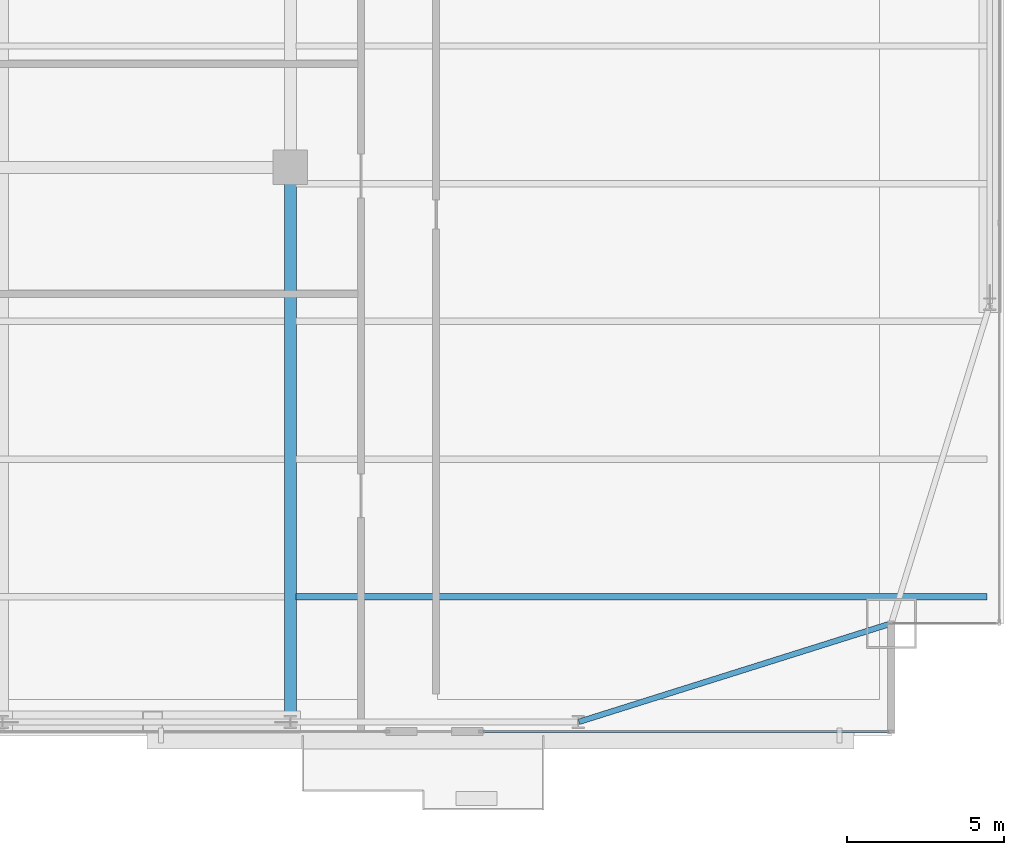
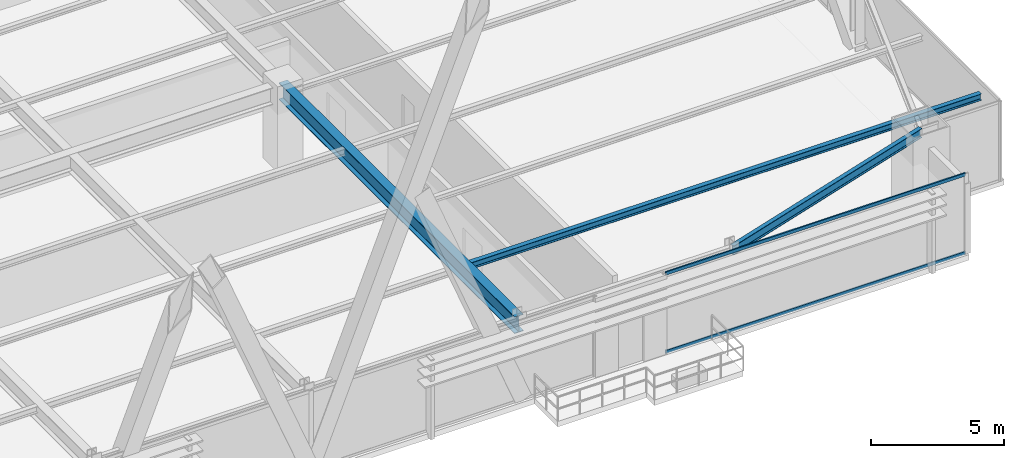
# One storey, part 14 of 32: 3 beams, 2 members, 1 element without a shape of its own.
"""IFC4 building model written with IfcOpenShell, lengths in metres."""

from ifc_helpers import new_model, si_unit, direction, frame, origin, origin_2d, place, context, subcontext, project, spatial, hollow_rectangle, i_section, extrude, source, transform, mapped, material, layer, layer_set, material_profile, profile_set, type_object, type_shapes, element, aggregate, save


model = new_model("IFC4")

# Units and contexts
model_context = context("Model", 3, precision=1e-05, world=origin(), true_north=direction((0.0, 1.0)))
body_context = subcontext(model_context, "Body", "Model", "MODEL_VIEW")
ifc_project = project(units=[si_unit("LENGTHUNIT", "METRE"), si_unit("AREAUNIT", "SQUARE_METRE"), si_unit("VOLUMEUNIT", "CUBIC_METRE"), si_unit("PLANEANGLEUNIT", "RADIAN"), si_unit("MASSUNIT", "GRAM", prefix="KILO")], contexts=[model_context])

# Site, building, storey
site_placement = place(None, origin())
site = spatial("IfcSite", under=ifc_project, at=site_placement, CompositionType="ELEMENT")
building_placement = place(site_placement, origin())
building = spatial("IfcBuilding", under=site, at=building_placement, Name="Varnel Quay Broadcast Tower", CompositionType="ELEMENT")
storey_placement = place(building_placement, frame((0.0, 0.0, 58.800048828125)))
storey = spatial("IfcBuildingStorey", under=building, at=storey_placement, Name="L13", CompositionType="ELEMENT", Elevation=58.800048828125)

# Beams
ifc_material_1 = material(Name="Structural Steel CSA G40.21 350W", Category="steel")
ifc_material_profile_1 = material_profile(ifc_material_1, i_section(OverallWidth=0.180908203125, OverallDepth=0.4169921875, WebThickness=0.010986328125, FlangeThickness=0.018310546875, FilletRadius=0.011962890625, at=origin_2d()), Name="W410X85")
ifc_profile_set_1 = profile_set([ifc_material_profile_1], Name="Structural Steel CSA G40.21 350W")
beam_type_1 = type_object("IfcBeamType", Name="Beam_W410X85", PredefinedType="SPANDREL", material=ifc_profile_set_1)
shared_shape_1 = source(origin(), body_context, "Body", "SweptSolid", [
    extrude(i_section(OverallWidth=0.180908203125, OverallDepth=0.4169921875, WebThickness=0.010986328125, FlangeThickness=0.018310546875, FilletRadius=0.011962890625, at=origin_2d()), origin(), (0.0, 0.0, 1.0), 10.444091796875),
])
type_shapes(beam_type_1, [shared_shape_1])
beam_1_placement = place(storey_placement, frame((52.419189453125, 1.656005859375, 3.44140625), z_axis=(0.953798277271, 0.300447743003, 0.0), x_axis=(-0.300447743003, 0.953798277271, 0.0)))
element("IfcBeam", 1, at=beam_1_placement, inside=storey, type_object=beam_type_1, Name="L13 South Spandrel TC-S5-MC-SE", PredefinedType="SPANDREL", context=body_context, shape_type="MappedRepresentation", body=[
    mapped(shared_shape_1, transform((0.0, 0.0, 0.0), x_axis=(1.0, 0.0, 0.0), y_axis=(0.0, 1.0, 0.0), z_axis=(0.0, 0.0, 1.0), scale=1.0)),
])
ifc_material_profile_2 = material_profile(ifc_material_1, i_section(OverallWidth=0.381103515625, OverallDepth=0.77294921875, WebThickness=0.0166015625, FlangeThickness=0.027587890625, FilletRadius=0.01806640625, at=origin_2d()), Name="W760X257")
ifc_profile_set_2 = profile_set([ifc_material_profile_2], Name="Structural Steel CSA G40.21 350W")
beam_type_2 = type_object("IfcBeamType", Name="Girder_W760X257", PredefinedType="BEAM", material=ifc_profile_set_2)
shared_shape_2 = source(origin(), body_context, "Body", "SweptSolid", [
    extrude(i_section(OverallWidth=0.381103515625, OverallDepth=0.77294921875, WebThickness=0.0166015625, FlangeThickness=0.027587890625, FilletRadius=0.01806640625, at=origin_2d()), origin(), (0.0, 0.0, 1.0), 17.68017578125),
])
type_shapes(beam_type_2, [shared_shape_2])
beam_2_placement = place(storey_placement, frame((43.199951171875, 1.669921875, 3.263427734375), z_axis=(0.0, 1.0, 0.0), x_axis=(-1.0, 0.0, 0.0)))
element("IfcBeam", 2, at=beam_2_placement, inside=storey, type_object=beam_type_2, Name="L13 Primary Girder TC-S4-IC-02", PredefinedType="BEAM", context=body_context, shape_type="MappedRepresentation", body=[
    mapped(shared_shape_2, transform((0.0, 0.0, 0.0), x_axis=(1.0, 0.0, 0.0), y_axis=(0.0, 1.0, 0.0), z_axis=(0.0, 0.0, 1.0), scale=1.0)),
])
ifc_material_profile_3 = material_profile(ifc_material_1, i_section(OverallWidth=0.202880859375, OverallDepth=0.302978515625, WebThickness=0.007568359375, FlangeThickness=0.01318359375, FilletRadius=0.011962890625, at=origin_2d()), Name="W310X60")
ifc_profile_set_3 = profile_set([ifc_material_profile_3], Name="Structural Steel CSA G40.21 350W")
beam_type_3 = type_object("IfcBeamType", Name="Beam_W310X60", PredefinedType="JOIST", material=ifc_profile_set_3)
shared_shape_3 = source(origin(), body_context, "Body", "SweptSolid", [
    extrude(i_section(OverallWidth=0.202880859375, OverallDepth=0.302978515625, WebThickness=0.007568359375, FlangeThickness=0.01318359375, FilletRadius=0.011962890625, at=origin_2d()), origin(), (0.0, 0.0, 1.0), 22.0791015625),
])
type_shapes(beam_type_3, [shared_shape_3])
beam_3_placement = place(storey_placement, frame((43.385498046875, 5.64990234375, 3.49853515625), z_axis=(1.0, 0.0, 0.0), x_axis=(0.0, 1.0, 0.0)))
element("IfcBeam", 3, at=beam_3_placement, inside=storey, type_object=beam_type_3, Name="L13 East Floor Joist 1", PredefinedType="JOIST", context=body_context, shape_type="MappedRepresentation", body=[
    mapped(shared_shape_3, transform((0.0, 0.0, 0.0), x_axis=(1.0, 0.0, 0.0), y_axis=(0.0, 1.0, 0.0), z_axis=(0.0, 0.0, 1.0), scale=1.0)),
])

# Curtain wall, members
ifc_material_2 = material(Name="Anodised Bronze Aluminium 6063-T6", Category="aluminium")
ifc_layer = layer(ifc_material_2, 0.18994140625, Name="Anodised Bronze Aluminium 6063-T6")
ifc_layer_set = layer_set([ifc_layer], Name="Anodised Bronze Aluminium 6063-T6")
curtain_wall_type = type_object("IfcCurtainWallType", Name="CW_LowerTower", PredefinedType="NOTDEFINED", material=ifc_layer_set)
curtain_wall_placement = place(storey_placement, origin())
curtain_wall = element("IfcCurtainWall", 4, at=curtain_wall_placement, inside=storey, type_object=curtain_wall_type, Name="L13 South Unitised Curtain Wall 3", PredefinedType="NOTDEFINED")
ifc_material_profile_4 = material_profile(ifc_material_2, hollow_rectangle(XDim=0.06005859375, YDim=0.14501953125, WallThickness=0.00341796875, at=origin_2d()), Name="ALU60X145X3.5")
ifc_profile_set_4 = profile_set([ifc_material_profile_4], Name="Anodised Bronze Aluminium 6063-T6")
member_type = type_object("IfcMemberType", Name="Tran_CWS-02", PredefinedType="USERDEFINED", material=ifc_profile_set_4)
shared_shape_4 = source(origin(), body_context, "Body", "SweptSolid", [
    extrude(hollow_rectangle(XDim=0.06005859375, YDim=0.14501953125, WallThickness=0.00341796875, at=origin_2d()), origin(), (0.0, 0.0, 1.0), 12.97998046875),
])
type_shapes(member_type, [shared_shape_4])
member_1_placement = place(storey_placement, frame((49.35009765625, 1.35009765625, 0.030029296875), z_axis=(1.0, 0.0, 0.0), x_axis=(0.0, 1.0, 0.0)))
member_1 = element("IfcMember", 5, at=member_1_placement, type_object=member_type, Name="CWS-02 transom 1.1", ObjectType="TRANSOM", PredefinedType="USERDEFINED", context=body_context, shape_type="MappedRepresentation", body=[
    mapped(shared_shape_4, transform((0.0, 0.0, 0.0), x_axis=(1.0, 0.0, 0.0), y_axis=(0.0, 1.0, 0.0), z_axis=(0.0, 0.0, 1.0), scale=1.0)),
])
member_2_placement = place(storey_placement, frame((49.35009765625, 1.35009765625, 3.619873046875), z_axis=(1.0, 0.0, 0.0), x_axis=(0.0, 1.0, 0.0)))
member_2 = element("IfcMember", 6, at=member_2_placement, type_object=member_type, Name="CWS-02 transom 1.2", ObjectType="TRANSOM", PredefinedType="USERDEFINED", context=body_context, shape_type="MappedRepresentation", body=[
    mapped(shared_shape_4, transform((0.0, 0.0, 0.0), x_axis=(1.0, 0.0, 0.0), y_axis=(0.0, 1.0, 0.0), z_axis=(0.0, 0.0, 1.0), scale=1.0)),
])
aggregate(curtain_wall, [member_1, member_2])

save(model, "model.ifc")
